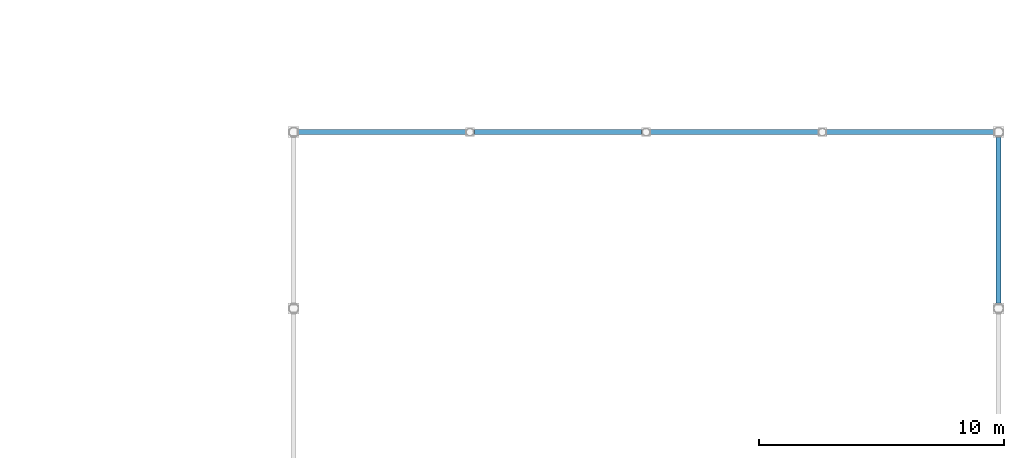
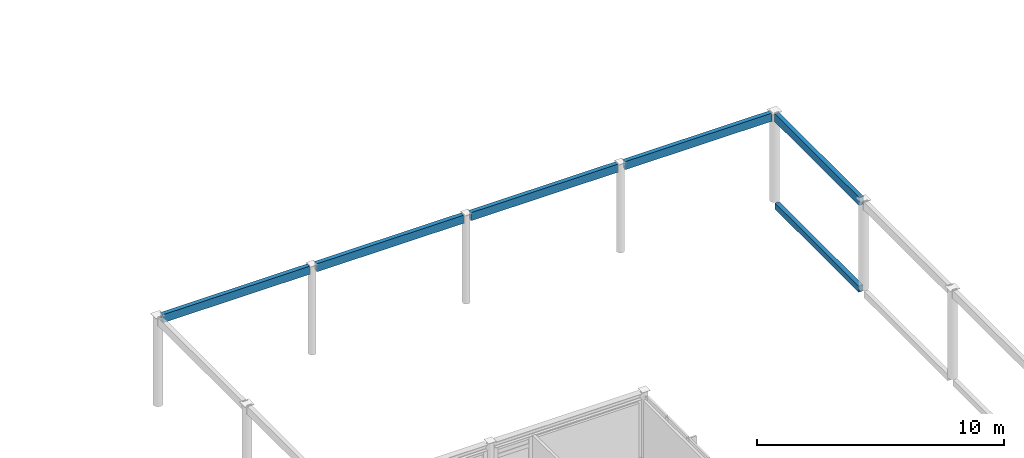
# One storey, part 32 of 72: 6 beams.
"""IFC4 building model written with IfcOpenShell, lengths in metres."""

from ifc_helpers import new_model, si_unit, direction, frame, origin, origin_2d, place, context, subcontext, project, spatial, hollow_rectangle, extrude, material, material_profile, profile_set, type_object, element, save


model = new_model("IFC4")

# Units and contexts
model_context = context("Model", 3, precision=1e-05, world=origin(), true_north=direction((0.0, 1.0)))
body_context = subcontext(model_context, "Body", "Model", "MODEL_VIEW")
ifc_project = project(units=[si_unit("LENGTHUNIT", "METRE"), si_unit("AREAUNIT", "SQUARE_METRE"), si_unit("VOLUMEUNIT", "CUBIC_METRE"), si_unit("PLANEANGLEUNIT", "RADIAN"), si_unit("MASSUNIT", "GRAM", prefix="KILO")], contexts=[model_context])

# Site, building, storey
site_placement = place(None, origin())
site = spatial("IfcSite", under=ifc_project, at=site_placement, CompositionType="ELEMENT")
building_placement = place(site_placement, origin())
building = spatial("IfcBuilding", under=site, at=building_placement, Name="Zarrinpeak Specialist Clinic", CompositionType="ELEMENT")
storey_placement = place(building_placement, frame((0.0, 0.0, 9.60009765625)))
storey = spatial("IfcBuildingStorey", under=building, at=storey_placement, Name="L02", CompositionType="ELEMENT", Elevation=9.60009765625)

# Beams
ifc_material = material(Name="Steel S355", Category="steel")
ifc_material_profile_1 = material_profile(ifc_material, hollow_rectangle(XDim=0.199951171875, YDim=0.39990234375, WallThickness=0.01611328125, at=origin_2d()), Name="RHS 400x200x16.0")
ifc_profile_set_1 = profile_set([ifc_material_profile_1], Name="Steel S355")
beam_type_1 = type_object("IfcBeamType", Name="BM-RING400", PredefinedType="BEAM", material=ifc_profile_set_1)
for number, where, z_axis, x_axis, name in (
    (1, (93.780029296875, 72.0, 4.199951171875), (1.0, 0.0, 0.0), (0.0, 1.0, 0.0), "V3 Gridshell Perimeter Ring Beam RB-V3-X2551"),
    (2, (100.97998046875, 72.0, 4.199951171875), (1.0, 0.0, 0.0), (0.0, 1.0, 0.0), "V3 Gridshell Perimeter Ring Beam RB-V3-X2552"),
    (3, (108.179931640625, 72.0, 4.199951171875), (1.0, 0.0, 0.0), (0.0, 1.0, 0.0), "V3 Gridshell Perimeter Ring Beam RB-V3-X2553"),
    (4, (115.3798828125, 72.0, 4.199951171875), (1.0, 0.0, 0.0), (0.0, 1.0, 0.0), "V3 Gridshell Perimeter Ring Beam RB-V3-X2554"),
    (5, (122.39990234375, 64.97998046875, 4.199951171875), (0.0, 1.0, 0.0), (-1.0, 0.0, 0.0), "V3 Gridshell Perimeter Ring Beam RB-V3-Y2566"),
):
    element("IfcBeam", number, at=place(storey_placement, frame(where, z_axis=z_axis, x_axis=x_axis)), inside=storey, type_object=beam_type_1, Name=name, PredefinedType="BEAM", context=body_context, shape_type="SweptSolid", body=[
        extrude(hollow_rectangle(XDim=0.199951171875, YDim=0.39990234375, WallThickness=0.01611328125, at=origin_2d()), origin(), (0.0, 0.0, 1.0), 6.840087890625),
    ])
ifc_material_profile_2 = material_profile(ifc_material, hollow_rectangle(XDim=0.199951171875, YDim=0.300048828125, WallThickness=0.012451171875, at=origin_2d()), Name="RHS 300x200x12.5")
ifc_profile_set_2 = profile_set([ifc_material_profile_2], Name="Steel S355")
beam_type_2 = type_object("IfcBeamType", Name="BM-SP300", PredefinedType="SPANDREL", material=ifc_profile_set_2)
beam_placement = place(storey_placement, frame((122.39990234375, 65.010009765625, -0.150146484375), z_axis=(0.0, 1.0, 0.0), x_axis=(-1.0, 0.0, 0.0)))
element("IfcBeam", 6, at=beam_placement, inside=storey, type_object=beam_type_2, Name="L02 V3 Hall East Spandrel Girt Y2546", PredefinedType="SPANDREL", context=body_context, shape_type="SweptSolid", body=[
    extrude(hollow_rectangle(XDim=0.199951171875, YDim=0.300048828125, WallThickness=0.012451171875, at=origin_2d()), origin(), (0.0, 0.0, 1.0), 6.780029296875),
])

save(model, "model.ifc")
